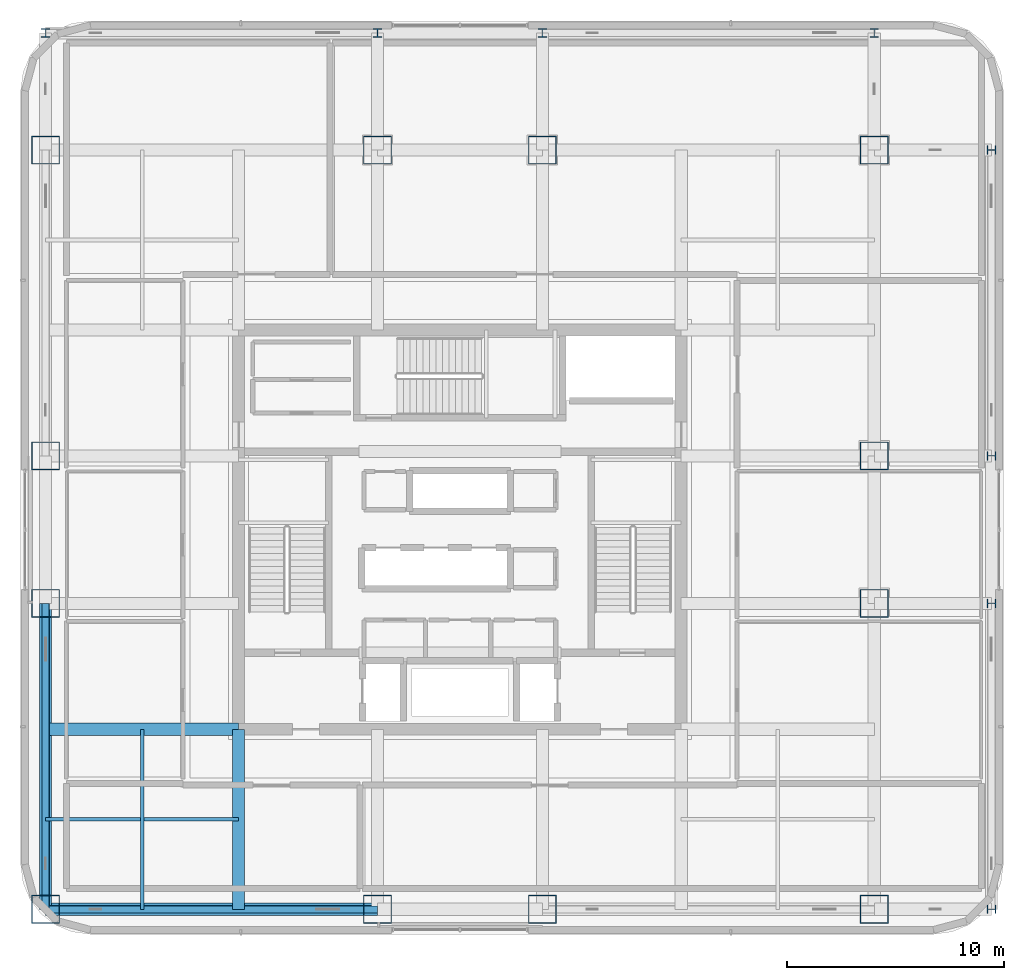
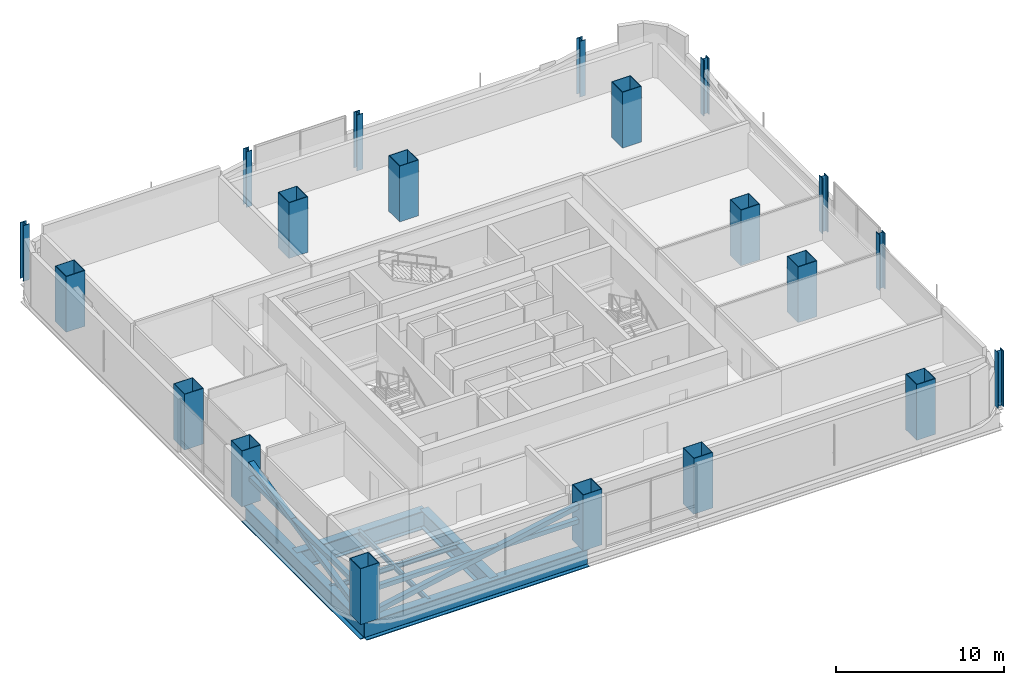
# One storey, part 1 of 30: 20 columns, 6 beams, 4 members.
"""IFC4 building model written with IfcOpenShell, lengths in metres."""

import ifcopenshell
import ifcopenshell.guid

model = None  # the IFC model being written
_history = None  # IfcOwnerHistory: only IFC2X3 demands one
_inside = {}  # id of a spatial element -> (the spatial element, [elements in it])
_under = {}  # id of a project, library or spatial element -> (it, [spatial elements below it])
_declared = {}  # id of a project -> (the project, [libraries it declares])
_typed = {}  # id of a type object -> (the type object, [elements of that type])
_made_of = {}  # id of a material, layer set ... -> (it, [elements and type objects made of it])


def new_model(schema):
    """Start an empty IFC model of exactly this schema.

    Asked for "IFC4X3", IfcOpenShell would pick the latest addendum, in which some entities
    have other attributes; the version numbers below select the first issue.
    IFC2X3 requires an IfcOwnerHistory on every rooted entity: one is made here for all.
    """
    global model, _history
    if schema == "IFC4X3":
        model = ifcopenshell.file(schema_version=(4, 3, 0, 0))
    else:
        model = ifcopenshell.file(schema=schema)
    _inside.clear()
    _under.clear()
    _declared.clear()
    _typed.clear()
    _made_of.clear()
    _history = None
    if model.schema == "IFC2X3":
        org = make("IfcOrganization", Name="unknown")
        user = make(
            "IfcPersonAndOrganization",
            ThePerson=make("IfcPerson", FamilyName="unknown"),
            TheOrganization=org,
        )
        app = make(
            "IfcApplication",
            ApplicationDeveloper=org,
            Version="unknown",
            ApplicationFullName="unknown",
            ApplicationIdentifier="unknown",
        )
        _history = make(
            "IfcOwnerHistory",
            OwningUser=user,
            OwningApplication=app,
            ChangeAction="ADDED",
            CreationDate=0,
        )
    return model


def make(cls, **values):
    """One entity of the class cls with the attributes given. An attribute that is None is left unset."""
    return model.create_entity(
        cls, **{name: value for name, value in values.items() if value is not None}
    )


def rooted(cls, **values):
    """An entity with a GlobalId (a new one), such as an element, a storey or a relation."""
    return make(cls, GlobalId=ifcopenshell.guid.new(), OwnerHistory=_history, **values)


def si_unit(unit_type, name, prefix=None):
    """IfcSIUnit, for example si_unit("LENGTHUNIT", "METRE", prefix="MILLI")."""
    return make("IfcSIUnit", UnitType=unit_type, Prefix=prefix, Name=name)


def assignment(units):
    """IfcUnitAssignment: the units of a project."""
    return None if units is None else make("IfcUnitAssignment", Units=units)


def point(xyz):
    """IfcCartesianPoint."""
    return None if xyz is None else make("IfcCartesianPoint", Coordinates=xyz)


def direction(xyz):
    """IfcDirection."""
    return None if xyz is None else make("IfcDirection", DirectionRatios=xyz)


def frame(location, z_axis=None, x_axis=None):
    """IfcAxis2Placement3D, a coordinate frame: its origin and axes. An axis left out is left unset."""
    return make(
        "IfcAxis2Placement3D",
        Location=point(location),
        Axis=direction(z_axis),
        RefDirection=direction(x_axis),
    )


def frame_2d(location, x_axis=None):
    """IfcAxis2Placement2D, a coordinate frame in the plane: its origin and x axis."""
    return make(
        "IfcAxis2Placement2D", Location=point(location), RefDirection=direction(x_axis)
    )


def origin():
    """The frame at (0, 0, 0) with its axes left unset."""
    return frame((0.0, 0.0, 0.0))


def origin_2d():
    """The frame at (0, 0) in the plane with its x axis left unset."""
    return frame_2d((0.0, 0.0))


def place(relative_to, where):
    """IfcLocalPlacement: puts the frame where relative to a parent placement (None: the world)."""
    return make(
        "IfcLocalPlacement", PlacementRelTo=relative_to, RelativePlacement=where
    )


def context(
    kind, dimensions, precision=None, world=None, true_north=None, identifier=None
):
    """IfcGeometricRepresentationContext, for example the 3D "Model" context."""
    return make(
        "IfcGeometricRepresentationContext",
        ContextIdentifier=identifier,
        ContextType=kind,
        CoordinateSpaceDimension=dimensions,
        Precision=precision,
        WorldCoordinateSystem=world,
        TrueNorth=true_north,
    )


def subcontext(parent, identifier, kind, view, scale=None):
    """IfcGeometricRepresentationSubContext, for example "Body" below "Model"."""
    return make(
        "IfcGeometricRepresentationSubContext",
        ContextIdentifier=identifier,
        ContextType=kind,
        ParentContext=parent,
        TargetScale=scale,
        TargetView=view,
    )


def project(units=None, contexts=None):
    """IfcProject with its units and contexts."""
    return rooted(
        "IfcProject",
        Name="project",
        RepresentationContexts=contexts,
        UnitsInContext=assignment(units),
    )


def spatial(cls, under=None, at=None, **own):
    """A site, building, storey or space (cls), placed at a placement, below another one or the project."""
    s = rooted(cls, ObjectPlacement=at, **own)
    if under is not None:
        _under.setdefault(under.id(), (under, []))[1].append(s)
    return s


def profile(cls, at=None, kind="AREA", **sizes):
    """A parametric profile (cls). Its sizes go by their IFC names, for example OverallWidth=200.0."""
    return make(cls, ProfileType=kind, Position=at, **sizes)


def hollow_rectangle(**sizes):
    """IfcRectangleHollowProfileDef."""
    return profile("IfcRectangleHollowProfileDef", **sizes)


def i_section(**sizes):
    """IfcIShapeProfileDef."""
    return profile("IfcIShapeProfileDef", **sizes)


def extrude(swept, where, along, depth):
    """IfcExtrudedAreaSolid: the profile swept, set in the frame where, extruded along a direction by depth."""
    return make(
        "IfcExtrudedAreaSolid",
        SweptArea=swept,
        Position=where,
        ExtrudedDirection=direction(along),
        Depth=depth,
    )


def shape(context_of_items, identifier, shape_type, items):
    """IfcShapeRepresentation: the items that make up one representation, for example the "Body"."""
    return make(
        "IfcShapeRepresentation",
        ContextOfItems=context_of_items,
        RepresentationIdentifier=identifier,
        RepresentationType=shape_type,
        Items=items,
    )


def material(Name=None, Category=None):
    """IfcMaterial."""
    return make("IfcMaterial", Name=Name, Category=Category)


def material_profile(
    of_material, cross_section, Name=None, Category=None, Priority=None
):
    """IfcMaterialProfile: a cross section and its material."""
    return make(
        "IfcMaterialProfile",
        Name=Name,
        Material=of_material,
        Profile=cross_section,
        Priority=Priority,
        Category=Category,
    )


def profile_set(profiles, Name=None, composite=None):
    """IfcMaterialProfileSet."""
    return make(
        "IfcMaterialProfileSet",
        Name=Name,
        MaterialProfiles=profiles,
        CompositeProfile=composite,
    )


def made_of(thing, what):
    """Note that an element or type object is made of a material, layer set ...; save() writes the relation."""
    if what is not None:
        _made_of.setdefault(what.id(), (what, []))[1].append(thing)
    return thing


def type_object(cls, material=None, **own):
    """A type object (cls), such as IfcWallType, which elements share."""
    return made_of(rooted(cls, **own), material)


def element(
    cls,
    number,
    at=None,
    inside=None,
    cuts=None,
    type_object=None,
    material=None,
    context=None,
    identifier="Body",
    shape_type=None,
    held_by="IfcProductDefinitionShape",
    body=None,
    shapes=None,
    **own,
):
    """One element of the class cls, such as IfcWall. Its Tag is "e" and its number.

    at: its placement. inside: the storey or other place that contains it. cuts: it is an
    opening in that element (IfcRelVoidsElement). A single representation is given by context,
    identifier, shape_type and body (its items); several are given by shapes. held_by: the class
    of the entity that holds the representations. save() writes the other relations.
    """
    e = rooted(cls, Tag="e%d" % number, ObjectPlacement=at, **own)
    if body is not None:
        shapes = [shape(context, identifier, shape_type, body)]
    if shapes is not None:
        e.Representation = make(held_by, Representations=shapes)
    if inside is not None:
        _inside.setdefault(inside.id(), (inside, []))[1].append(e)
    if cuts is not None:
        rooted(
            "IfcRelVoidsElement", RelatingBuildingElement=cuts, RelatedOpeningElement=e
        )
    if type_object is not None:
        _typed.setdefault(type_object.id(), (type_object, []))[1].append(e)
    return made_of(e, material)


def aggregate(whole, parts):
    """IfcRelAggregates: a whole, such as a stair, and the parts it consists of."""
    return rooted("IfcRelAggregates", RelatingObject=whole, RelatedObjects=parts)


def save(model, path):
    """Write the relations noted so far, then the file.

    IfcRelAggregates (storeys below a building ...), IfcRelContainedInSpatialStructure (elements
    in a storey), IfcRelDefinesByType, IfcRelAssociatesMaterial and IfcRelDeclares: one each for
    every whole, place, type object, material and project.
    """
    for whole, parts in _under.values():
        aggregate(whole, parts)
    for where, things in _inside.values():
        rooted(
            "IfcRelContainedInSpatialStructure",
            RelatedElements=things,
            RelatingStructure=where,
        )
    for kind, things in _typed.values():
        rooted("IfcRelDefinesByType", RelatedObjects=things, RelatingType=kind)
    for what, things in _made_of.values():
        rooted("IfcRelAssociatesMaterial", RelatedObjects=things, RelatingMaterial=what)
    for by, libraries in _declared.values():
        rooted("IfcRelDeclares", RelatingContext=by, RelatedDefinitions=libraries)
    model.write(path)


model = new_model("IFC4")

# Units and contexts
model_context = context("Model", 3, precision=1e-05, world=origin(), true_north=direction((0.0, 1.0)))
body_context = subcontext(model_context, "Body", "Model", "MODEL_VIEW")
ifc_project = project(units=[si_unit("LENGTHUNIT", "METRE"), si_unit("AREAUNIT", "SQUARE_METRE"), si_unit("VOLUMEUNIT", "CUBIC_METRE"), si_unit("PLANEANGLEUNIT", "RADIAN"), si_unit("MASSUNIT", "GRAM", prefix="KILO")], contexts=[model_context])

# Site, building, storey
site_placement = place(None, origin())
site = spatial("IfcSite", under=ifc_project, at=site_placement, CompositionType="ELEMENT")
building_placement = place(site_placement, origin())
building = spatial("IfcBuilding", under=site, at=building_placement, Name="Punatoya Terracotta Tower", CompositionType="ELEMENT")
storey_placement = place(building_placement, frame((0.0, 0.0, 251.39990234375)))
storey = spatial("IfcBuildingStorey", under=building, at=storey_placement, Name="L59", CompositionType="ELEMENT", Elevation=251.39990234375)

# Columns
ifc_material_1 = material(Name="Steel S460", Category="steel")
ifc_material_profile_1 = material_profile(ifc_material_1, i_section(OverallWidth=0.406005859375, OverallDepth=0.416015625, WebThickness=0.029052734375, FlangeThickness=0.048095703125, FilletRadius=0.01806640625, at=origin_2d()))
ifc_profile_set_1 = profile_set([ifc_material_profile_1], Name="Steel S460")
column_type_1 = type_object("IfcColumnType", Name="COL-EX-M3", PredefinedType="COLUMN", material=ifc_profile_set_1)
for number, where, z_axis, x_axis, name in (
    (1, (-19.10009765625, 22.89990234375, 0.0), (0.0, 0.0, 1.0), (1.0, 0.0, 0.0), "L59 Exoskeleton Perimeter Column N1"),
    (2, (-3.800048828125, 22.89990234375, 0.0), (0.0, 0.0, 1.0), (1.0, 0.0, 0.0), "L59 Exoskeleton Perimeter Column N2"),
    (3, (3.800048828125, 22.89990234375, 0.0), (0.0, 0.0, 1.0), (1.0, 0.0, 0.0), "L59 Exoskeleton Perimeter Column N3"),
    (4, (19.10009765625, 22.89990234375, 0.0), (0.0, 0.0, 1.0), (1.0, 0.0, 0.0), "L59 Exoskeleton Perimeter Column N4"),
    (5, (24.5, -17.5, 0.0), (0.0, 0.0, 1.0), (0.0, 1.0, 0.0), "L59 Exoskeleton Perimeter Column E1"),
    (6, (24.5, -3.39990234375, 0.0), (0.0, 0.0, 1.0), (0.0, 1.0, 0.0), "L59 Exoskeleton Perimeter Column E2"),
    (7, (24.5, 3.39990234375, 0.0), (0.0, 0.0, 1.0), (0.0, 1.0, 0.0), "L59 Exoskeleton Perimeter Column E3"),
    (8, (24.5, 17.5, 0.0), (0.0, 0.0, 1.0), (0.0, 1.0, 0.0), "L59 Exoskeleton Perimeter Column E4"),
):
    element("IfcColumn", number, at=place(storey_placement, frame(where, z_axis=z_axis, x_axis=x_axis)), inside=storey, type_object=column_type_1, Name=name, PredefinedType="COLUMN", context=body_context, shape_type="SweptSolid", body=[
        extrude(i_section(OverallWidth=0.406005859375, OverallDepth=0.416015625, WebThickness=0.029052734375, FlangeThickness=0.048095703125, FilletRadius=0.01806640625, at=origin_2d()), origin(), (0.0, 0.0, 1.0), 4.048095703125),
    ])
ifc_material_profile_2 = material_profile(ifc_material_1, hollow_rectangle(XDim=1.300048828125, YDim=1.300048828125, WallThickness=0.0380859375, at=origin_2d()))
ifc_profile_set_2 = profile_set([ifc_material_profile_2], Name="Steel S460")
column_type_2 = type_object("IfcColumnType", Name="COL-MC-Z3", PredefinedType="COLUMN", material=ifc_profile_set_2)
for number, where, z_axis, x_axis, name in (
    (9, (-19.10009765625, -17.5, 0.0), (0.0, 0.0, 1.0), (1.0, 0.0, 0.0), "L59 Composite Mega-Column MC-01 (3-B)"),
    (10, (-3.800048828125, -17.5, 0.0), (0.0, 0.0, 1.0), (1.0, 0.0, 0.0), "L59 Composite Mega-Column MC-02 (5-B)"),
    (11, (3.800048828125, -17.5, 0.0), (0.0, 0.0, 1.0), (1.0, 0.0, 0.0), "L59 Composite Mega-Column MC-03 (7-B)"),
    (12, (19.10009765625, -17.5, 0.0), (0.0, 0.0, 1.0), (1.0, 0.0, 0.0), "L59 Composite Mega-Column MC-04 (9-B)"),
    (13, (19.10009765625, -3.39990234375, 0.0), (0.0, 0.0, 1.0), (1.0, 0.0, 0.0), "L59 Composite Mega-Column MC-05 (9-D)"),
    (14, (19.10009765625, 3.39990234375, 0.0), (0.0, 0.0, 1.0), (1.0, 0.0, 0.0), "L59 Composite Mega-Column MC-06 (9-E)"),
    (15, (19.10009765625, 17.5, 0.0), (0.0, 0.0, 1.0), (1.0, 0.0, 0.0), "L59 Composite Mega-Column MC-07 (9-G)"),
    (16, (3.800048828125, 17.5, 0.0), (0.0, 0.0, 1.0), (1.0, 0.0, 0.0), "L59 Composite Mega-Column MC-08 (7-G)"),
    (17, (-3.800048828125, 17.5, 0.0), (0.0, 0.0, 1.0), (1.0, 0.0, 0.0), "L59 Composite Mega-Column MC-09 (5-G)"),
    (18, (-19.10009765625, 17.5, 0.0), (0.0, 0.0, 1.0), (1.0, 0.0, 0.0), "L59 Composite Mega-Column MC-10 (3-G)"),
    (19, (-19.10009765625, 3.39990234375, 0.0), (0.0, 0.0, 1.0), (1.0, 0.0, 0.0), "L59 Composite Mega-Column MC-11 (3-E)"),
    (20, (-19.10009765625, -3.39990234375, 0.0), (0.0, 0.0, 1.0), (1.0, 0.0, 0.0), "L59 Composite Mega-Column MC-12 (3-D)"),
):
    element("IfcColumn", number, at=place(storey_placement, frame(where, z_axis=z_axis, x_axis=x_axis)), inside=storey, type_object=column_type_2, Name=name, PredefinedType="COLUMN", context=body_context, shape_type="SweptSolid", body=[
        extrude(hollow_rectangle(XDim=1.300048828125, YDim=1.300048828125, WallThickness=0.0380859375, at=origin_2d()), origin(), (0.0, 0.0, 1.0), 4.050048828125),
    ])

# Beams
ifc_material_2 = material(Name="Steel S355", Category="steel")
ifc_material_profile_3 = material_profile(ifc_material_2, i_section(OverallWidth=0.169921875, OverallDepth=0.360107421875, WebThickness=0.008056640625, FlangeThickness=0.0126953125, FilletRadius=0.01806640625, at=origin_2d()))
ifc_profile_set_3 = profile_set([ifc_material_profile_3], Name="Steel S355")
beam_type_1 = type_object("IfcBeamType", Name="BM-SEC-360", PredefinedType="JOIST", material=ifc_profile_set_3)
beam_1_placement = place(storey_placement, frame((-19.10009765625, -13.35009765625, -0.4599609375), z_axis=(1.0, 0.0, 0.0), x_axis=(0.0, 1.0, 0.0)))
element("IfcBeam", 21, at=beam_1_placement, inside=storey, type_object=beam_type_1, Name="BM-L59-SJS-1", PredefinedType="JOIST", context=body_context, shape_type="SweptSolid", body=[
    extrude(i_section(OverallWidth=0.169921875, OverallDepth=0.360107421875, WebThickness=0.008056640625, FlangeThickness=0.0126953125, FilletRadius=0.01806640625, at=origin_2d()), origin(), (0.0, 0.0, 1.0), 8.900146484375),
])
beam_2_placement = place(storey_placement, frame((-14.64990234375, -17.5, -0.4599609375), z_axis=(0.0, 1.0, 0.0), x_axis=(-1.0, 0.0, 0.0)))
element("IfcBeam", 22, at=beam_2_placement, inside=storey, type_object=beam_type_1, Name="BM-L59-SJW-1", PredefinedType="JOIST", context=body_context, shape_type="SweptSolid", body=[
    extrude(i_section(OverallWidth=0.169921875, OverallDepth=0.360107421875, WebThickness=0.008056640625, FlangeThickness=0.0126953125, FilletRadius=0.01806640625, at=origin_2d()), origin(), (0.0, 0.0, 1.0), 8.300048828125),
])
ifc_material_profile_4 = material_profile(ifc_material_1, i_section(OverallWidth=0.56005859375, OverallDepth=1.320068359375, WebThickness=0.035888671875, FlangeThickness=0.054931640625, FilletRadius=0.01806640625, at=origin_2d()))
ifc_profile_set_4 = profile_set([ifc_material_profile_4], Name="Steel S460")
beam_type_2 = type_object("IfcBeamType", Name="BM-TG-BLK", PredefinedType="BEAM", material=ifc_profile_set_4)
beam_3_placement = place(storey_placement, frame((-19.10009765625, -17.5, -0.93994140625), z_axis=(1.0, 0.0, 0.0), x_axis=(0.0, 1.0, 0.0)))
element("IfcBeam", 23, at=beam_3_placement, inside=storey, type_object=beam_type_2, Name="BM-L59-RG-S1", PredefinedType="BEAM", context=body_context, shape_type="SweptSolid", body=[
    extrude(i_section(OverallWidth=0.56005859375, OverallDepth=1.320068359375, WebThickness=0.035888671875, FlangeThickness=0.054931640625, FilletRadius=0.01806640625, at=origin_2d()), origin(), (0.0, 0.0, 1.0), 15.300048828125),
])
beam_4_placement = place(storey_placement, frame((-19.10009765625, -17.5, -0.93994140625), z_axis=(0.0, 1.0, 0.0), x_axis=(-1.0, 0.0, 0.0)))
element("IfcBeam", 24, at=beam_4_placement, inside=storey, type_object=beam_type_2, Name="BM-L59-RG-W1", PredefinedType="BEAM", context=body_context, shape_type="SweptSolid", body=[
    extrude(i_section(OverallWidth=0.56005859375, OverallDepth=1.320068359375, WebThickness=0.035888671875, FlangeThickness=0.054931640625, FilletRadius=0.01806640625, at=origin_2d()), origin(), (0.0, 0.0, 1.0), 14.10009765625),
])
beam_5_placement = place(storey_placement, frame((-19.10009765625, -9.199951171875, -0.93994140625), z_axis=(1.0, 0.0, 0.0), x_axis=(0.0, 1.0, 0.0)))
element("IfcBeam", 25, at=beam_5_placement, inside=storey, type_object=beam_type_2, Name="BM-L59-PR-WS", PredefinedType="BEAM", context=body_context, shape_type="SweptSolid", body=[
    extrude(i_section(OverallWidth=0.56005859375, OverallDepth=1.320068359375, WebThickness=0.035888671875, FlangeThickness=0.054931640625, FilletRadius=0.01806640625, at=origin_2d()), origin(), (0.0, 0.0, 1.0), 8.900146484375),
])
beam_6_placement = place(storey_placement, frame((-10.199951171875, -17.5, -0.93994140625), z_axis=(0.0, 1.0, 0.0), x_axis=(-1.0, 0.0, 0.0)))
element("IfcBeam", 26, at=beam_6_placement, inside=storey, type_object=beam_type_2, Name="BM-L59-PR-S1", PredefinedType="BEAM", context=body_context, shape_type="SweptSolid", body=[
    extrude(i_section(OverallWidth=0.56005859375, OverallDepth=1.320068359375, WebThickness=0.035888671875, FlangeThickness=0.054931640625, FilletRadius=0.01806640625, at=origin_2d()), origin(), (0.0, 0.0, 1.0), 8.300048828125),
])

# Members
ifc_material_profile_5 = material_profile(ifc_material_1, hollow_rectangle(XDim=0.320068359375, YDim=0.320068359375, WallThickness=0.01806640625, at=origin_2d()))
ifc_profile_set_5 = profile_set([ifc_material_profile_5], Name="Steel S460")
member_type_1 = type_object("IfcMemberType", Name="MEM-CHD-320", PredefinedType="CHORD", material=ifc_profile_set_5)
member_1_placement = place(storey_placement, frame((-19.10009765625, -17.5, 1.85009765625), z_axis=(1.0, 0.0, 0.0), x_axis=(0.0, 1.0, 0.0)))
element("IfcMember", 27, at=member_1_placement, inside=storey, type_object=member_type_1, Name="L59 Exoskeleton Belt Truss Tie Chord S1", PredefinedType="CHORD", context=body_context, shape_type="SweptSolid", body=[
    extrude(hollow_rectangle(XDim=0.320068359375, YDim=0.320068359375, WallThickness=0.01806640625, at=origin_2d()), origin(), (0.0, 0.0, 1.0), 15.300048828125),
])
member_2_placement = place(storey_placement, frame((-19.10009765625, -17.5, 1.85009765625), z_axis=(0.0, 1.0, 0.0), x_axis=(-1.0, 0.0, 0.0)))
element("IfcMember", 28, at=member_2_placement, inside=storey, type_object=member_type_1, Name="L59 Exoskeleton Belt Truss Tie Chord W1", PredefinedType="CHORD", context=body_context, shape_type="SweptSolid", body=[
    extrude(hollow_rectangle(XDim=0.320068359375, YDim=0.320068359375, WallThickness=0.01806640625, at=origin_2d()), origin(), (0.0, 0.0, 1.0), 14.10009765625),
])
ifc_material_profile_6 = material_profile(ifc_material_1, hollow_rectangle(XDim=0.35009765625, YDim=0.35009765625, WallThickness=0.01806640625, at=origin_2d()))
ifc_profile_set_6 = profile_set([ifc_material_profile_6], Name="Steel S460")
member_type_2 = type_object("IfcMemberType", Name="MEM-EXO-350", PredefinedType="BRACE", material=ifc_profile_set_6)
member_3_placement = place(storey_placement, frame((-19.10009765625, -17.5, 0.02001953125), z_axis=(0.980948581988, 0.0, 0.194267546172), x_axis=(0.0, 1.0, 0.0)))
element("IfcMember", 29, at=member_3_placement, inside=storey, type_object=member_type_2, Name="L59 Exoskeleton Belt Brace S1", PredefinedType="BRACE", context=body_context, shape_type="SweptSolid", body=[
    extrude(hollow_rectangle(XDim=0.35009765625, YDim=0.35009765625, WallThickness=0.01806640625, at=origin_2d()), origin(), (0.0, 0.0, 1.0), 15.59716796875),
])
member_4_placement = place(storey_placement, frame((-19.10009765625, -17.5, 0.02001953125), z_axis=(0.0, 0.977680364468, 0.210097846096), x_axis=(-1.0, 0.0, 0.0)))
element("IfcMember", 30, at=member_4_placement, inside=storey, type_object=member_type_2, Name="L59 Exoskeleton Belt Brace W1", PredefinedType="BRACE", context=body_context, shape_type="SweptSolid", body=[
    extrude(hollow_rectangle(XDim=0.35009765625, YDim=0.35009765625, WallThickness=0.01806640625, at=origin_2d()), origin(), (0.0, 0.0, 1.0), 14.421875),
])

save(model, "model.ifc")
